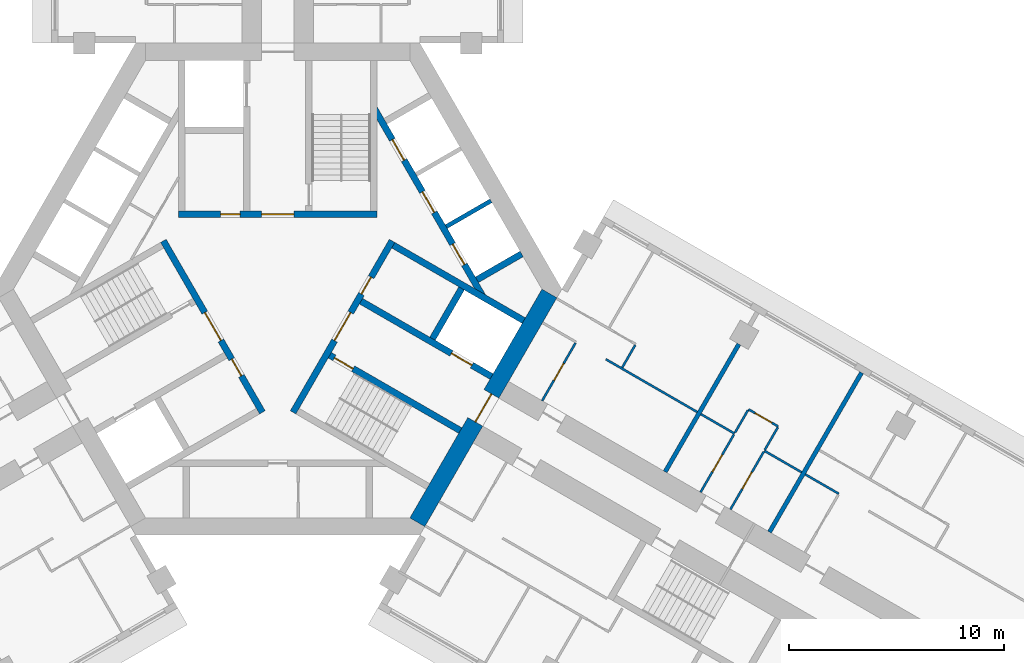
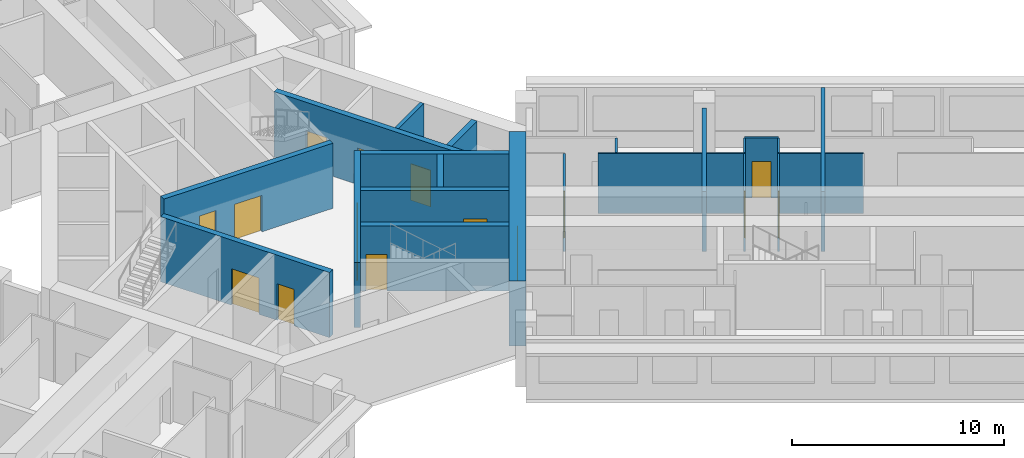
# One storey, part 6 of 12: 24 walls, 16 doors, 16 openings.
"""IFC4 building model written with IfcOpenShell, lengths in metres."""

from ifc_helpers import new_model, si_unit, direction, frame, frame_2d, origin, place, context, subcontext, project, spatial, rectangle, extrude, material, layer, layer_set, type_object, element, fill, save


model = new_model("IFC4")

# Units and contexts
model_context = context("Model", 3, precision=1e-05, world=origin(), true_north=direction((0.0, 1.0)))
body_context = subcontext(model_context, "Body", "Model", "MODEL_VIEW")
ifc_project = project(units=[si_unit("LENGTHUNIT", "METRE"), si_unit("AREAUNIT", "SQUARE_METRE"), si_unit("VOLUMEUNIT", "CUBIC_METRE"), si_unit("PLANEANGLEUNIT", "RADIAN"), si_unit("MASSUNIT", "GRAM", prefix="KILO")], contexts=[model_context])

# Site, building, storey
site_placement = place(None, origin())
site = spatial("IfcSite", under=ifc_project, at=site_placement, CompositionType="ELEMENT")
building_placement = place(site_placement, origin())
building = spatial("IfcBuilding", under=site, at=building_placement, Name="Impinga Residences", CompositionType="ELEMENT")
storey_placement = place(building_placement, frame((0.0, 0.0, 177.25)))
storey = spatial("IfcBuildingStorey", under=building, at=storey_placement, Name="L44", CompositionType="ELEMENT", Elevation=177.25)

# Walls
ifc_material_1 = material(Name="Gypsum board on steel studs", Category="steel")
ifc_layer_1 = layer(ifc_material_1, 0.10009765625)
ifc_layer_set_1 = layer_set([ifc_layer_1], Name="Gypsum board on steel studs")
wall_type_1 = type_object("IfcWallType", Name="IP1 partition 100", PredefinedType="PARTITIONING", material=ifc_layer_set_1)
wall_1_placement = place(storey_placement, frame((15.244384765625, -3.2587890625, 0.0), z_axis=(0.0, 0.0, 1.0), x_axis=(0.866036242063, -0.49998122708, 0.0)))
element("IfcWall", 1, at=wall_1_placement, inside=storey, type_object=wall_type_1, Name="Partition L44-EA1:DIV1", PredefinedType="PARTITIONING", context=body_context, shape_type="SweptSolid", body=[
    extrude(rectangle(XDim=4.900146484375, YDim=0.10009765625, at=frame_2d((2.4501953125, 0.0))), origin(), (0.0, 0.0, 1.0), 3.449951171875),
])
wall_2_placement = place(storey_placement, frame((16.005615234375, -3.640625, 0.0), z_axis=(0.0, 0.0, 1.0), x_axis=(0.500033551112, 0.866006032174, 0.0)))
element("IfcWall", 2, at=wall_2_placement, inside=storey, type_object=wall_type_1, Name="Partition L44-EA1:SE1", PredefinedType="PARTITIONING", context=body_context, shape_type="SweptSolid", body=[
    extrude(rectangle(XDim=1.2001953125, YDim=0.10009765625, at=frame_2d((0.60009765625, 0.0))), origin(), (0.0, 0.0, 1.0), 3.449951171875),
])

# Wall, opening, door
wall_3_placement = place(storey_placement, frame((12.283935546875, -5.186767578125, 0.0), z_axis=(0.0, 0.0, 1.0), x_axis=(0.499967891604, 0.866043940782, 0.0)))
wall_3 = element("IfcWall", 3, at=wall_3_placement, inside=storey, type_object=wall_type_1, Name="Partition L44-EA1:IB1", PredefinedType="PARTITIONING", context=body_context, shape_type="SweptSolid", body=[
    extrude(rectangle(XDim=3.099853515625, YDim=0.10009765625, at=frame_2d((1.5498046875, 0.0))), origin(), (0.0, 0.0, 1.0), 3.449951171875),
])
opening_1_placement = place(wall_3_placement, frame((1.10009765625, 0.0, 0.0)))
opening_1 = element("IfcOpeningElement", 4, at=opening_1_placement, cuts=wall_3, Name="Opening D2", PredefinedType="OPENING", context=body_context, shape_type="SweptSolid", body=[
    extrude(rectangle(XDim=0.89990234375, YDim=2.10009765625, at=frame_2d((0.449951171875, 1.050048828125))), frame((0.0, 0.06005859375, 0.0), z_axis=(0.0, -1.0, 0.0), x_axis=(1.0, 0.0, 0.0)), (0.0, 0.0, 1.0), 0.1201171875),
])
ifc_material_2 = material(Name="Timber door set", Category="wood")
door_type_1 = type_object("IfcDoorType", Name="D2 internal door 900x2100", OperationType="SINGLE_SWING_LEFT", PredefinedType="DOOR", material=ifc_material_2)
door_1_placement = place(opening_1_placement, origin())
door_1 = element("IfcDoor", 5, at=door_1_placement, inside=storey, type_object=door_type_1, Name="Apartment L44-EA1 bathroom door", OperationType="SINGLE_SWING_LEFT", OverallHeight=2.10009765625, OverallWidth=0.89990234375, PredefinedType="DOOR", context=body_context, shape_type="SweptSolid", body=[
    extrude(rectangle(XDim=0.89990234375, YDim=2.10009765625, at=frame_2d((0.449951171875, 1.050048828125))), frame((0.0, 0.02490234375, 0.0), z_axis=(0.0, -1.0, 0.0), x_axis=(1.0, 0.0, 0.0)), (0.0, 0.0, 1.0), 0.050048828125),
])
fill(opening_1, door_1)

# Walls
wall_4_placement = place(storey_placement, frame((19.6611328125, -5.808837890625, 0.0), z_axis=(0.0, 0.0, 1.0), x_axis=(0.866047807691, -0.499961193289, 0.0)))
element("IfcWall", 6, at=wall_4_placement, inside=storey, type_object=wall_type_1, Name="Partition L44-EA2:DIV0", PredefinedType="PARTITIONING", context=body_context, shape_type="SweptSolid", body=[
    extrude(rectangle(XDim=1.800048828125, YDim=0.10009765625, at=frame_2d((0.89990234375, 0.0))), origin(), (0.0, 0.0, 1.0), 3.449951171875),
])
wall_5_placement = place(storey_placement, frame((22.605712890625, -7.5087890625, 0.0), z_axis=(0.0, 0.0, 1.0), x_axis=(0.866010750942, -0.50002537861, 0.0)))
element("IfcWall", 7, at=wall_5_placement, inside=storey, type_object=wall_type_1, Name="Partition L44-EA2:DIV1", PredefinedType="PARTITIONING", context=body_context, shape_type="SweptSolid", body=[
    extrude(rectangle(XDim=2.0, YDim=0.10009765625, at=frame_2d((1.0, 0.0))), origin(), (0.0, 0.0, 1.0), 3.449951171875),
])

# Wall, opening, door
wall_6_placement = place(storey_placement, frame((21.8701171875, -5.5830078125, 0.0), z_axis=(0.0, 0.0, 1.0), x_axis=(0.865989903783, -0.500061482766, 0.0)))
wall_6 = element("IfcWall", 8, at=wall_6_placement, inside=storey, type_object=wall_type_1, Name="Partition L44-EA2:STRIP", PredefinedType="PARTITIONING", context=body_context, shape_type="SweptSolid", body=[
    extrude(rectangle(XDim=1.599853515625, YDim=0.10009765625, at=frame_2d((0.7998046875, 0.0))), origin(), (0.0, 0.0, 1.0), 3.449951171875),
])
opening_2_placement = place(wall_6_placement, frame((0.35009765625, 0.0, 0.0)))
opening_2 = element("IfcOpeningElement", 9, at=opening_2_placement, cuts=wall_6, Name="Opening D2", PredefinedType="OPENING", context=body_context, shape_type="SweptSolid", body=[
    extrude(rectangle(XDim=0.89990234375, YDim=2.10009765625, at=frame_2d((0.449951171875, 1.050048828125))), frame((0.0, 0.06005859375, 0.0), z_axis=(0.0, -1.0, 0.0), x_axis=(1.0, 0.0, 0.0)), (0.0, 0.0, 1.0), 0.1201171875),
])
door_2_placement = place(opening_2_placement, origin())
door_2 = element("IfcDoor", 10, at=door_2_placement, inside=storey, type_object=door_type_1, Name="Apartment L44-EA2 room door", OperationType="SINGLE_SWING_LEFT", OverallHeight=2.10009765625, OverallWidth=0.89990234375, PredefinedType="DOOR", context=body_context, shape_type="SweptSolid", body=[
    extrude(rectangle(XDim=0.89990234375, YDim=2.10009765625, at=frame_2d((0.449951171875, 1.050048828125))), frame((0.0, 0.02490234375, 0.0), z_axis=(0.0, -1.0, 0.0), x_axis=(1.0, 0.0, 0.0)), (0.0, 0.0, 1.0), 0.050048828125),
])
fill(opening_2, door_2)

# Walls
wall_7_placement = place(storey_placement, frame((21.2451171875, -6.66552734375, 0.0), z_axis=(0.0, 0.0, 1.0), x_axis=(0.499880961361, 0.866094119867, 0.0)))
element("IfcWall", 11, at=wall_7_placement, inside=storey, type_object=wall_type_1, Name="Partition L44-EA2:SE0", PredefinedType="PARTITIONING", context=body_context, shape_type="SweptSolid", body=[
    extrude(rectangle(XDim=1.199951171875, YDim=0.10009765625, at=frame_2d((0.60009765625, 0.0))), origin(), (0.0, 0.0, 1.0), 3.449951171875),
])
wall_8_placement = place(storey_placement, frame((22.630615234375, -7.465576171875, 0.0), z_axis=(0.0, 0.0, 1.0), x_axis=(0.500033551112, 0.866006032174, 0.0)))
element("IfcWall", 12, at=wall_8_placement, inside=storey, type_object=wall_type_1, Name="Partition L44-EA2:SE1", PredefinedType="PARTITIONING", context=body_context, shape_type="SweptSolid", body=[
    extrude(rectangle(XDim=1.2001953125, YDim=0.10009765625, at=frame_2d((0.60009765625, 0.0))), origin(), (0.0, 0.0, 1.0), 3.449951171875),
])

# Wall, opening, door
wall_9_placement = place(storey_placement, frame((19.64501953125, -9.436767578125, 0.0), z_axis=(0.0, 0.0, 1.0), x_axis=(0.500026960575, 0.86600983753, 0.0)))
wall_9 = element("IfcWall", 13, at=wall_9_placement, inside=storey, type_object=wall_type_1, Name="Partition L44-EA2:IB1", PredefinedType="PARTITIONING", context=body_context, shape_type="SweptSolid", body=[
    extrude(rectangle(XDim=3.099853515625, YDim=0.10009765625, at=frame_2d((1.5498046875, 0.0))), origin(), (0.0, 0.0, 1.0), 3.449951171875),
])
opening_3_placement = place(wall_9_placement, frame((1.10009765625, 0.0, 0.0)))
opening_3 = element("IfcOpeningElement", 14, at=opening_3_placement, cuts=wall_9, Name="Opening D2", PredefinedType="OPENING", context=body_context, shape_type="SweptSolid", body=[
    extrude(rectangle(XDim=0.89990234375, YDim=2.10009765625, at=frame_2d((0.449951171875, 1.050048828125))), frame((0.0, 0.06005859375, 0.0), z_axis=(0.0, -1.0, 0.0), x_axis=(1.0, 0.0, 0.0)), (0.0, 0.0, 1.0), 0.1201171875),
])
door_3_placement = place(opening_3_placement, origin())
door_3 = element("IfcDoor", 15, at=door_3_placement, inside=storey, type_object=door_type_1, Name="Apartment L44-EA2 bathroom door", OperationType="SINGLE_SWING_LEFT", OverallHeight=2.10009765625, OverallWidth=0.89990234375, PredefinedType="DOOR", context=body_context, shape_type="SweptSolid", body=[
    extrude(rectangle(XDim=0.89990234375, YDim=2.10009765625, at=frame_2d((0.449951171875, 1.050048828125))), frame((0.0, 0.02490234375, 0.0), z_axis=(0.0, -1.0, 0.0), x_axis=(1.0, 0.0, 0.0)), (0.0, 0.0, 1.0), 0.050048828125),
])
fill(opening_3, door_3)

wall_10_placement = place(storey_placement, frame((21.03076171875, -10.23681640625, 0.0), z_axis=(0.0, 0.0, 1.0), x_axis=(0.500026960575, 0.86600983753, 0.0)))
wall_10 = element("IfcWall", 16, at=wall_10_placement, inside=storey, type_object=wall_type_1, Name="Partition L44-EA2:IB2", PredefinedType="PARTITIONING", context=body_context, shape_type="SweptSolid", body=[
    extrude(rectangle(XDim=3.099853515625, YDim=0.10009765625, at=frame_2d((1.5498046875, 0.0))), origin(), (0.0, 0.0, 1.0), 3.449951171875),
])
opening_4_placement = place(wall_10_placement, frame((1.10009765625, 0.0, 0.0)))
opening_4 = element("IfcOpeningElement", 17, at=opening_4_placement, cuts=wall_10, Name="Opening D2", PredefinedType="OPENING", context=body_context, shape_type="SweptSolid", body=[
    extrude(rectangle(XDim=0.89990234375, YDim=2.10009765625, at=frame_2d((0.449951171875, 1.050048828125))), frame((0.0, 0.06005859375, 0.0), z_axis=(0.0, -1.0, 0.0), x_axis=(1.0, 0.0, 0.0)), (0.0, 0.0, 1.0), 0.1201171875),
])
door_4_placement = place(opening_4_placement, origin())
door_4 = element("IfcDoor", 18, at=door_4_placement, inside=storey, type_object=door_type_1, Name="Apartment L44-EA2 WC door", OperationType="SINGLE_SWING_LEFT", OverallHeight=2.10009765625, OverallWidth=0.89990234375, PredefinedType="DOOR", context=body_context, shape_type="SweptSolid", body=[
    extrude(rectangle(XDim=0.89990234375, YDim=2.10009765625, at=frame_2d((0.449951171875, 1.050048828125))), frame((0.0, 0.02490234375, 0.0), z_axis=(0.0, -1.0, 0.0), x_axis=(1.0, 0.0, 0.0)), (0.0, 0.0, 1.0), 0.050048828125),
])
fill(opening_4, door_4)

# Walls
wall_11_placement = place(storey_placement, frame((24.510986328125, -8.60888671875, 0.0), z_axis=(0.0, 0.0, 1.0), x_axis=(0.866047807691, -0.499961193289, 0.0)))
element("IfcWall", 19, at=wall_11_placement, inside=storey, type_object=wall_type_1, Name="Partition L44-EA3:DIV0", PredefinedType="PARTITIONING", context=body_context, shape_type="SweptSolid", body=[
    extrude(rectangle(XDim=1.800048828125, YDim=0.10009765625, at=frame_2d((0.89990234375, 0.0))), origin(), (0.0, 0.0, 1.0), 3.449951171875),
])
ifc_material_3 = material(Name="Concrete blockwork", Category="masonry")
ifc_layer_2 = layer(ifc_material_3, 0.199951171875)
ifc_layer_set_2 = layer_set([ifc_layer_2], Name="PW1 party wall between apartments 200")
wall_type_2 = type_object("IfcWallType", Name="PW1 party wall between apartments 200", PredefinedType="SOLIDWALL", material=ifc_layer_set_2)
wall_12_placement = place(storey_placement, frame((17.99951171875, -8.48681640625, 0.0), z_axis=(0.0, 0.0, 1.0), x_axis=(0.499999086063, 0.866025931445, 0.0)))
element("IfcWall", 20, at=wall_12_placement, inside=storey, type_object=wall_type_2, Name="Party wall between apartments L44-EA1:PARTY", PredefinedType="SOLIDWALL", context=body_context, shape_type="SweptSolid", body=[
    extrude(rectangle(XDim=6.85009765625, YDim=0.199951171875, at=frame_2d((3.425048828125, 0.0))), origin(), (0.0, 0.0, 1.0), 3.449951171875),
])
wall_13_placement = place(storey_placement, frame((22.849365234375, -11.286865234375, 0.0), z_axis=(0.0, 0.0, 1.0), x_axis=(0.499990227581, 0.86603104582, 0.0)))
element("IfcWall", 21, at=wall_13_placement, inside=storey, type_object=wall_type_2, Name="Party wall between apartments L44-EA2:PARTY", PredefinedType="SOLIDWALL", context=body_context, shape_type="SweptSolid", body=[
    extrude(rectangle(XDim=8.550048828125, YDim=0.199951171875, at=frame_2d((4.27490234375, 0.0))), origin(), (0.0, 0.0, 1.0), 3.449951171875),
])

# Wall, opening, door
ifc_material_4 = material(Name="Concrete C60/75", Category="concrete")
ifc_layer_3 = layer(ifc_material_4, 0.800048828125)
ifc_layer_set_3 = layer_set([ifc_layer_3], Name="Concrete C60/75")
wall_type_3 = type_object("IfcWallType", Name="SW2 core wall 800", PredefinedType="SHEAR", material=ifc_layer_set_3)
wall_14_placement = place(storey_placement, frame((12.62255859375, -0.199951171875, 0.0), z_axis=(0.0, 0.0, 1.0), x_axis=(-0.499986991068, -0.866032914365, 0.0)))
wall_14 = element("IfcWall", 22, at=wall_14_placement, inside=storey, type_object=wall_type_3, Name="Core wall SW2 E:FACE L44", PredefinedType="SHEAR", context=body_context, shape_type="SweptSolid", body=[
    extrude(rectangle(XDim=12.276123046875, YDim=0.800048828125, at=frame_2d((6.13818359375, 0.0))), origin(), (0.0, 0.0, 1.0), 3.75),
])
opening_5_placement = place(wall_14_placement, frame((5.38818359375, 0.0, 0.0)))
opening_5 = element("IfcOpeningElement", 23, at=opening_5_placement, cuts=wall_14, Name="Opening D4", PredefinedType="OPENING", context=body_context, shape_type="SweptSolid", body=[
    extrude(rectangle(XDim=1.5, YDim=2.10009765625, at=frame_2d((0.75, 1.050048828125))), frame((0.0, 0.409912109375, 0.0), z_axis=(0.0, -1.0, 0.0), x_axis=(1.0, 0.0, 0.0)), (0.0, 0.0, 1.0), 0.820068359375),
])
door_type_2 = type_object("IfcDoorType", Name="D4 lobby door pair 1500x2100", OperationType="DOUBLE_DOOR_DOUBLE_SWING", PredefinedType="DOOR", material=ifc_material_2)
door_5_placement = place(opening_5_placement, origin())
door_5 = element("IfcDoor", 24, at=door_5_placement, inside=storey, type_object=door_type_2, Name="Lobby door E", OperationType="DOUBLE_DOOR_DOUBLE_SWING", OverallHeight=2.10009765625, OverallWidth=1.5, PredefinedType="DOOR", context=body_context, shape_type="SweptSolid", body=[
    extrude(rectangle(XDim=1.5, YDim=2.10009765625, at=frame_2d((0.75, 1.050048828125))), frame((0.0, 0.02490234375, 0.0), z_axis=(0.0, -1.0, 0.0), x_axis=(1.0, 0.0, 0.0)), (0.0, 0.0, 1.0), 0.050048828125),
])
fill(opening_5, door_5)

# Wall, openings, doors
ifc_material_5 = material(Name="Concrete C70/85", Category="concrete")
ifc_layer_4 = layer(ifc_material_5, 0.300048828125)
ifc_layer_set_4 = layer_set([ifc_layer_4], Name="Concrete C70/85")
wall_type_4 = type_object("IfcWallType", Name="SW5 core inner wall, stairs, shafts and lobbies 300", PredefinedType="SHEAR", material=ifc_layer_set_4)
wall_15_placement = place(storey_placement, frame((-4.60009765625, 3.47998046875, 0.0), z_axis=(0.0, 0.0, 1.0), x_axis=(1.0, 0.0, 0.0)))
wall_15 = element("IfcWall", 25, at=wall_15_placement, inside=storey, type_object=wall_type_4, Name="Core wall SW5 N:ZONE L44", PredefinedType="SHEAR", context=body_context, shape_type="SweptSolid", body=[
    extrude(rectangle(XDim=9.2001953125, YDim=0.300048828125, at=frame_2d((4.60009765625, 0.0))), origin(), (0.0, 0.0, 1.0), 3.75),
])
opening_6_placement = place(wall_15_placement, frame((3.85009765625, 0.0, 0.0)))
opening_6 = element("IfcOpeningElement", 26, at=opening_6_placement, cuts=wall_15, Name="Opening D4", PredefinedType="OPENING", context=body_context, shape_type="SweptSolid", body=[
    extrude(rectangle(XDim=1.5, YDim=2.10009765625, at=frame_2d((0.75, 1.050048828125))), frame((0.0, 0.159912109375, 0.0), z_axis=(0.0, -1.0, 0.0), x_axis=(1.0, 0.0, 0.0)), (0.0, 0.0, 1.0), 0.320068359375),
])
opening_7_placement = place(wall_15_placement, frame((1.949951171875, 0.0, 0.0)))
opening_7 = element("IfcOpeningElement", 27, at=opening_7_placement, cuts=wall_15, Name="Opening D6", PredefinedType="OPENING", context=body_context, shape_type="SweptSolid", body=[
    extrude(rectangle(XDim=0.89990234375, YDim=2.10009765625, at=frame_2d((0.449951171875, 1.050048828125))), frame((0.0, 0.159912109375, 0.0), z_axis=(0.0, -1.0, 0.0), x_axis=(1.0, 0.0, 0.0)), (0.0, 0.0, 1.0), 0.320068359375),
])
door_6_placement = place(opening_6_placement, origin())
door_6 = element("IfcDoor", 28, at=door_6_placement, inside=storey, type_object=door_type_2, Name="Firefighting lobby door N", OperationType="DOUBLE_DOOR_DOUBLE_SWING", OverallHeight=2.10009765625, OverallWidth=1.5, PredefinedType="DOOR", context=body_context, shape_type="SweptSolid", body=[
    extrude(rectangle(XDim=1.5, YDim=2.10009765625, at=frame_2d((0.75, 1.050048828125))), frame((0.0, 0.02490234375, 0.0), z_axis=(0.0, -1.0, 0.0), x_axis=(1.0, 0.0, 0.0)), (0.0, 0.0, 1.0), 0.050048828125),
])
fill(opening_6, door_6)
door_type_3 = type_object("IfcDoorType", Name="D6 riser and store door 900x2100", OperationType="SINGLE_SWING_LEFT", PredefinedType="DOOR", material=ifc_material_2)
door_7_placement = place(opening_7_placement, origin())
door_7 = element("IfcDoor", 29, at=door_7_placement, inside=storey, type_object=door_type_3, Name="Riser door N", OperationType="SINGLE_SWING_LEFT", OverallHeight=2.10009765625, OverallWidth=0.89990234375, PredefinedType="DOOR", context=body_context, shape_type="SweptSolid", body=[
    extrude(rectangle(XDim=0.89990234375, YDim=2.10009765625, at=frame_2d((0.449951171875, 1.050048828125))), frame((0.0, 0.02490234375, 0.0), z_axis=(0.0, -1.0, 0.0), x_axis=(1.0, 0.0, 0.0)), (0.0, 0.0, 1.0), 0.050048828125),
])
fill(opening_7, door_7)

wall_16_placement = place(storey_placement, frame((-0.7138671875, -5.7236328125, 0.0), z_axis=(0.0, 0.0, 1.0), x_axis=(-0.499995050369, 0.866028261437, 0.0)))
wall_16 = element("IfcWall", 30, at=wall_16_placement, inside=storey, type_object=wall_type_4, Name="Core wall SW5 W:ZONE L44", PredefinedType="SHEAR", context=body_context, shape_type="SweptSolid", body=[
    extrude(rectangle(XDim=9.19970703125, YDim=0.300048828125, at=frame_2d((4.599853515625, 0.0))), origin(), (0.0, 0.0, 1.0), 3.75),
])
opening_8_placement = place(wall_16_placement, frame((3.85009765625, 0.0, 0.0)))
opening_8 = element("IfcOpeningElement", 31, at=opening_8_placement, cuts=wall_16, Name="Opening D4", PredefinedType="OPENING", context=body_context, shape_type="SweptSolid", body=[
    extrude(rectangle(XDim=1.5, YDim=2.10009765625, at=frame_2d((0.75, 1.050048828125))), frame((0.0, 0.159912109375, 0.0), z_axis=(0.0, -1.0, 0.0), x_axis=(1.0, 0.0, 0.0)), (0.0, 0.0, 1.0), 0.320068359375),
])
opening_9_placement = place(wall_16_placement, frame((1.949951171875, 0.0, 0.0)))
opening_9 = element("IfcOpeningElement", 32, at=opening_9_placement, cuts=wall_16, Name="Opening D6", PredefinedType="OPENING", context=body_context, shape_type="SweptSolid", body=[
    extrude(rectangle(XDim=0.89990234375, YDim=2.10009765625, at=frame_2d((0.449951171875, 1.050048828125))), frame((0.0, 0.159912109375, 0.0), z_axis=(0.0, -1.0, 0.0), x_axis=(1.0, 0.0, 0.0)), (0.0, 0.0, 1.0), 0.320068359375),
])
door_8_placement = place(opening_8_placement, origin())
door_8 = element("IfcDoor", 33, at=door_8_placement, inside=storey, type_object=door_type_2, Name="Firefighting lobby door W", OperationType="DOUBLE_DOOR_DOUBLE_SWING", OverallHeight=2.10009765625, OverallWidth=1.5, PredefinedType="DOOR", context=body_context, shape_type="SweptSolid", body=[
    extrude(rectangle(XDim=1.5, YDim=2.10009765625, at=frame_2d((0.75, 1.050048828125))), frame((0.0, 0.02490234375, 0.0), z_axis=(0.0, -1.0, 0.0), x_axis=(1.0, 0.0, 0.0)), (0.0, 0.0, 1.0), 0.050048828125),
])
fill(opening_8, door_8)
door_9_placement = place(opening_9_placement, origin())
door_9 = element("IfcDoor", 34, at=door_9_placement, inside=storey, type_object=door_type_3, Name="Riser door W", OperationType="SINGLE_SWING_LEFT", OverallHeight=2.10009765625, OverallWidth=0.89990234375, PredefinedType="DOOR", context=body_context, shape_type="SweptSolid", body=[
    extrude(rectangle(XDim=0.89990234375, YDim=2.10009765625, at=frame_2d((0.449951171875, 1.050048828125))), frame((0.0, 0.02490234375, 0.0), z_axis=(0.0, -1.0, 0.0), x_axis=(1.0, 0.0, 0.0)), (0.0, 0.0, 1.0), 0.050048828125),
])
fill(opening_9, door_9)

wall_17_placement = place(storey_placement, frame((5.313720703125, 2.24365234375, 0.0), z_axis=(0.0, 0.0, 1.0), x_axis=(-0.499995050369, -0.866028261437, 0.0)))
wall_17 = element("IfcWall", 35, at=wall_17_placement, inside=storey, type_object=wall_type_4, Name="Core wall SW5 E:ZONE L44", PredefinedType="SHEAR", context=body_context, shape_type="SweptSolid", body=[
    extrude(rectangle(XDim=9.19970703125, YDim=0.300048828125, at=frame_2d((4.599853515625, 0.0))), origin(), (0.0, 0.0, 1.0), 3.75),
])
opening_10_placement = place(wall_17_placement, frame((3.85009765625, 0.0, 0.0)))
opening_10 = element("IfcOpeningElement", 36, at=opening_10_placement, cuts=wall_17, Name="Opening D4", PredefinedType="OPENING", context=body_context, shape_type="SweptSolid", body=[
    extrude(rectangle(XDim=1.5, YDim=2.10009765625, at=frame_2d((0.75, 1.050048828125))), frame((0.0, 0.159912109375, 0.0), z_axis=(0.0, -1.0, 0.0), x_axis=(1.0, 0.0, 0.0)), (0.0, 0.0, 1.0), 0.320068359375),
])
opening_11_placement = place(wall_17_placement, frame((1.949951171875, 0.0, 0.0)))
opening_11 = element("IfcOpeningElement", 37, at=opening_11_placement, cuts=wall_17, Name="Opening D6", PredefinedType="OPENING", context=body_context, shape_type="SweptSolid", body=[
    extrude(rectangle(XDim=0.89990234375, YDim=2.10009765625, at=frame_2d((0.449951171875, 1.050048828125))), frame((0.0, 0.159912109375, 0.0), z_axis=(0.0, -1.0, 0.0), x_axis=(1.0, 0.0, 0.0)), (0.0, 0.0, 1.0), 0.320068359375),
])
door_10_placement = place(opening_10_placement, origin())
door_10 = element("IfcDoor", 38, at=door_10_placement, inside=storey, type_object=door_type_2, Name="Firefighting lobby door E", OperationType="DOUBLE_DOOR_DOUBLE_SWING", OverallHeight=2.10009765625, OverallWidth=1.5, PredefinedType="DOOR", context=body_context, shape_type="SweptSolid", body=[
    extrude(rectangle(XDim=1.5, YDim=2.10009765625, at=frame_2d((0.75, 1.050048828125))), frame((0.0, 0.02490234375, 0.0), z_axis=(0.0, -1.0, 0.0), x_axis=(1.0, 0.0, 0.0)), (0.0, 0.0, 1.0), 0.050048828125),
])
fill(opening_10, door_10)
door_11_placement = place(opening_11_placement, origin())
door_11 = element("IfcDoor", 39, at=door_11_placement, inside=storey, type_object=door_type_3, Name="Riser door E", OperationType="SINGLE_SWING_LEFT", OverallHeight=2.10009765625, OverallWidth=0.89990234375, PredefinedType="DOOR", context=body_context, shape_type="SweptSolid", body=[
    extrude(rectangle(XDim=0.89990234375, YDim=2.10009765625, at=frame_2d((0.449951171875, 1.050048828125))), frame((0.0, 0.02490234375, 0.0), z_axis=(0.0, -1.0, 0.0), x_axis=(1.0, 0.0, 0.0)), (0.0, 0.0, 1.0), 0.050048828125),
])
fill(opening_11, door_11)

# Wall, opening, door
wall_18_placement = place(storey_placement, frame((2.418701171875, -3.07080078125, 0.0), z_axis=(0.0, 0.0, 1.0), x_axis=(0.866026480128, -0.499998135713, 0.0)))
wall_18 = element("IfcWall", 40, at=wall_18_placement, inside=storey, type_object=wall_type_4, Name="Core wall SW5 E:ST-IN L44", PredefinedType="SHEAR", context=body_context, shape_type="SweptSolid", body=[
    extrude(rectangle(XDim=7.00146484375, YDim=0.300048828125, at=frame_2d((3.500732421875, 0.0))), origin(), (0.0, 0.0, 1.0), 3.75),
])
opening_12_placement = place(wall_18_placement, frame((0.25, 0.0, 0.0)))
opening_12 = element("IfcOpeningElement", 41, at=opening_12_placement, cuts=wall_18, Name="Opening D5", PredefinedType="OPENING", context=body_context, shape_type="SweptSolid", body=[
    extrude(rectangle(XDim=1.0, YDim=2.10009765625, at=frame_2d((0.5, 1.050048828125))), frame((0.0, 0.159912109375, 0.0), z_axis=(0.0, -1.0, 0.0), x_axis=(1.0, 0.0, 0.0)), (0.0, 0.0, 1.0), 0.320068359375),
])
door_type_4 = type_object("IfcDoorType", Name="D5 stair door 1000x2100", OperationType="SINGLE_SWING_LEFT", PredefinedType="DOOR", material=ifc_material_2)
door_12_placement = place(opening_12_placement, origin())
door_12 = element("IfcDoor", 42, at=door_12_placement, inside=storey, type_object=door_type_4, Name="Stair door E", OperationType="SINGLE_SWING_LEFT", OverallHeight=2.10009765625, OverallWidth=1.0, PredefinedType="DOOR", context=body_context, shape_type="SweptSolid", body=[
    extrude(rectangle(XDim=1.0, YDim=2.10009765625, at=frame_2d((0.5, 1.050048828125))), frame((0.0, 0.02490234375, 0.0), z_axis=(0.0, -1.0, 0.0), x_axis=(1.0, 0.0, 0.0)), (0.0, 0.0, 1.0), 0.050048828125),
])
fill(opening_12, door_12)

wall_19_placement = place(storey_placement, frame((3.86865234375, -0.559326171875, 0.0), z_axis=(0.0, 0.0, 1.0), x_axis=(0.866026480128, -0.499998135713, 0.0)))
wall_19 = element("IfcWall", 43, at=wall_19_placement, inside=storey, type_object=wall_type_4, Name="Core wall SW5 E:FF-IN L44", PredefinedType="SHEAR", context=body_context, shape_type="SweptSolid", body=[
    extrude(rectangle(XDim=7.00146484375, YDim=0.300048828125, at=frame_2d((3.500732421875, 0.0))), origin(), (0.0, 0.0, 1.0), 3.75),
])
opening_13_placement = place(wall_19_placement, frame((4.85009765625, 0.0, 0.0)))
opening_13 = element("IfcOpeningElement", 44, at=opening_13_placement, cuts=wall_19, Name="Opening LD2", PredefinedType="OPENING", context=body_context, shape_type="SweptSolid", body=[
    extrude(rectangle(XDim=1.10009765625, YDim=2.10009765625, at=frame_2d((0.550048828125, 1.050048828125))), frame((0.0, 0.159912109375, 0.0), z_axis=(0.0, -1.0, 0.0), x_axis=(1.0, 0.0, 0.0)), (0.0, 0.0, 1.0), 0.320068359375),
])
ifc_material_6 = material(Name="Steel lift landing door", Category="steel")
door_type_5 = type_object("IfcDoorType", Name="LD2 firefighting lift landing door 1100x2100", OperationType="DOUBLE_DOOR_SLIDING", PredefinedType="DOOR", material=ifc_material_6)
door_13_placement = place(opening_13_placement, origin())
door_13 = element("IfcDoor", 45, at=door_13_placement, inside=storey, type_object=door_type_5, Name="Firefighting lift landing door F3", OperationType="DOUBLE_DOOR_SLIDING", OverallHeight=2.10009765625, OverallWidth=1.10009765625, PredefinedType="DOOR", context=body_context, shape_type="SweptSolid", body=[
    extrude(rectangle(XDim=1.10009765625, YDim=2.10009765625, at=frame_2d((0.550048828125, 1.050048828125))), frame((0.0, 0.02490234375, 0.0), z_axis=(0.0, -1.0, 0.0), x_axis=(1.0, 0.0, 0.0)), (0.0, 0.0, 1.0), 0.050048828125),
])
fill(opening_13, door_13)

# Walls
wall_20_placement = place(storey_placement, frame((5.36865234375, 2.038818359375, 0.0), z_axis=(0.0, 0.0, 1.0), x_axis=(0.866026480128, -0.499998135713, 0.0)))
element("IfcWall", 46, at=wall_20_placement, inside=storey, type_object=wall_type_4, Name="Core wall SW5 E:FF-OUT L44", PredefinedType="SHEAR", context=body_context, shape_type="SweptSolid", body=[
    extrude(rectangle(XDim=7.00146484375, YDim=0.300048828125, at=frame_2d((3.500732421875, 0.0))), origin(), (0.0, 0.0, 1.0), 3.75),
])
wall_21_placement = place(storey_placement, frame((8.541259765625, 0.033935546875, 0.0), z_axis=(0.0, 0.0, 1.0), x_axis=(-0.50000943426, -0.866019956843, 0.0)))
element("IfcWall", 47, at=wall_21_placement, inside=storey, type_object=wall_type_4, Name="Core wall SW5 E:FF-RS L44", PredefinedType="SHEAR", context=body_context, shape_type="SweptSolid", body=[
    extrude(rectangle(XDim=2.7001953125, YDim=0.300048828125, at=frame_2d((1.35009765625, 0.0))), origin(), (0.0, 0.0, 1.0), 3.75),
])

# Wall, openings, doors
wall_22_placement = place(storey_placement, frame((4.449951171875, 8.455322265625, 0.0), z_axis=(0.0, 0.0, 1.0), x_axis=(0.500002290144, -0.866024081565, 0.0)))
wall_22 = element("IfcWall", 48, at=wall_22_placement, inside=storey, type_object=wall_type_4, Name="Core wall SW5 W:BANK-FRONT L44", PredefinedType="SHEAR", context=body_context, shape_type="SweptSolid", body=[
    extrude(rectangle(XDim=10.1953125, YDim=0.300048828125, at=frame_2d((5.09765625, 0.0))), origin(), (0.0, 0.0, 1.0), 3.75),
])
opening_14_placement = place(wall_22_placement, frame((1.74755859375, 0.0, 0.0)))
opening_14 = element("IfcOpeningElement", 49, at=opening_14_placement, cuts=wall_22, Name="Opening LD1", PredefinedType="OPENING", context=body_context, shape_type="SweptSolid", body=[
    extrude(rectangle(XDim=1.10009765625, YDim=2.10009765625, at=frame_2d((0.550048828125, 1.050048828125))), frame((0.0, 0.159912109375, 0.0), z_axis=(0.0, -1.0, 0.0), x_axis=(1.0, 0.0, 0.0)), (0.0, 0.0, 1.0), 0.320068359375),
])
opening_15_placement = place(wall_22_placement, frame((4.547607421875, 0.0, 0.0)))
opening_15 = element("IfcOpeningElement", 50, at=opening_15_placement, cuts=wall_22, Name="Opening LD1", PredefinedType="OPENING", context=body_context, shape_type="SweptSolid", body=[
    extrude(rectangle(XDim=1.10009765625, YDim=2.10009765625, at=frame_2d((0.550048828125, 1.050048828125))), frame((0.0, 0.159912109375, 0.0), z_axis=(0.0, -1.0, 0.0), x_axis=(1.0, 0.0, 0.0)), (0.0, 0.0, 1.0), 0.320068359375),
])
opening_16_placement = place(wall_22_placement, frame((7.34765625, 0.0, 0.0)))
opening_16 = element("IfcOpeningElement", 51, at=opening_16_placement, cuts=wall_22, Name="Opening LD1", PredefinedType="OPENING", context=body_context, shape_type="SweptSolid", body=[
    extrude(rectangle(XDim=1.10009765625, YDim=2.10009765625, at=frame_2d((0.550048828125, 1.050048828125))), frame((0.0, 0.159912109375, 0.0), z_axis=(0.0, -1.0, 0.0), x_axis=(1.0, 0.0, 0.0)), (0.0, 0.0, 1.0), 0.320068359375),
])
door_type_6 = type_object("IfcDoorType", Name="LD1 passenger lift landing door 1100x2100", OperationType="DOUBLE_DOOR_SLIDING", PredefinedType="DOOR", material=ifc_material_6)
door_14_placement = place(opening_14_placement, origin())
door_14 = element("IfcDoor", 52, at=door_14_placement, inside=storey, type_object=door_type_6, Name="Lift landing door P4", OperationType="DOUBLE_DOOR_SLIDING", OverallHeight=2.10009765625, OverallWidth=1.10009765625, PredefinedType="DOOR", context=body_context, shape_type="SweptSolid", body=[
    extrude(rectangle(XDim=1.10009765625, YDim=2.10009765625, at=frame_2d((0.550048828125, 1.050048828125))), frame((0.0, 0.02490234375, 0.0), z_axis=(0.0, -1.0, 0.0), x_axis=(1.0, 0.0, 0.0)), (0.0, 0.0, 1.0), 0.050048828125),
])
fill(opening_14, door_14)
door_15_placement = place(opening_15_placement, origin())
door_15 = element("IfcDoor", 53, at=door_15_placement, inside=storey, type_object=door_type_6, Name="Lift landing door P5", OperationType="DOUBLE_DOOR_SLIDING", OverallHeight=2.10009765625, OverallWidth=1.10009765625, PredefinedType="DOOR", context=body_context, shape_type="SweptSolid", body=[
    extrude(rectangle(XDim=1.10009765625, YDim=2.10009765625, at=frame_2d((0.550048828125, 1.050048828125))), frame((0.0, 0.02490234375, 0.0), z_axis=(0.0, -1.0, 0.0), x_axis=(1.0, 0.0, 0.0)), (0.0, 0.0, 1.0), 0.050048828125),
])
fill(opening_15, door_15)
door_16_placement = place(opening_16_placement, origin())
door_16 = element("IfcDoor", 54, at=door_16_placement, inside=storey, type_object=door_type_6, Name="Lift landing door P6", OperationType="DOUBLE_DOOR_SLIDING", OverallHeight=2.10009765625, OverallWidth=1.10009765625, PredefinedType="DOOR", context=body_context, shape_type="SweptSolid", body=[
    extrude(rectangle(XDim=1.10009765625, YDim=2.10009765625, at=frame_2d((0.550048828125, 1.050048828125))), frame((0.0, 0.02490234375, 0.0), z_axis=(0.0, -1.0, 0.0), x_axis=(1.0, 0.0, 0.0)), (0.0, 0.0, 1.0), 0.050048828125),
])
fill(opening_16, door_16)

# Walls
wall_23_placement = place(storey_placement, frame((9.253662109375, 0.43505859375, 0.0), z_axis=(0.0, 0.0, 1.0), x_axis=(0.866006032174, 0.500033551112, 0.0)))
element("IfcWall", 55, at=wall_23_placement, inside=storey, type_object=wall_type_4, Name="Core wall SW5 W:BANK-R L44", PredefinedType="SHEAR", context=body_context, shape_type="SweptSolid", body=[
    extrude(rectangle(XDim=2.400146484375, YDim=0.300048828125, at=frame_2d((1.2001953125, 0.0))), origin(), (0.0, 0.0, 1.0), 3.75),
])
ifc_layer_5 = layer(ifc_material_5, 0.199951171875)
ifc_layer_set_5 = layer_set([ifc_layer_5], Name="Concrete C70/85")
wall_type_5 = type_object("IfcWallType", Name="SW6 lift shaft divider wall 200", PredefinedType="SHEAR", material=ifc_layer_set_5)
wall_24_placement = place(storey_placement, frame((7.82861328125, 2.9033203125, 0.0), z_axis=(0.0, 0.0, 1.0), x_axis=(0.866050077142, 0.499957262057, 0.0)))
element("IfcWall", 56, at=wall_24_placement, inside=storey, type_object=wall_type_5, Name="Core wall SW6 W:BANK-D2 L44", PredefinedType="SHEAR", context=body_context, shape_type="SweptSolid", body=[
    extrude(rectangle(XDim=2.400146484375, YDim=0.199951171875, at=frame_2d((1.2001953125, 0.0))), origin(), (0.0, 0.0, 1.0), 3.75),
])

save(model, "model.ifc")
